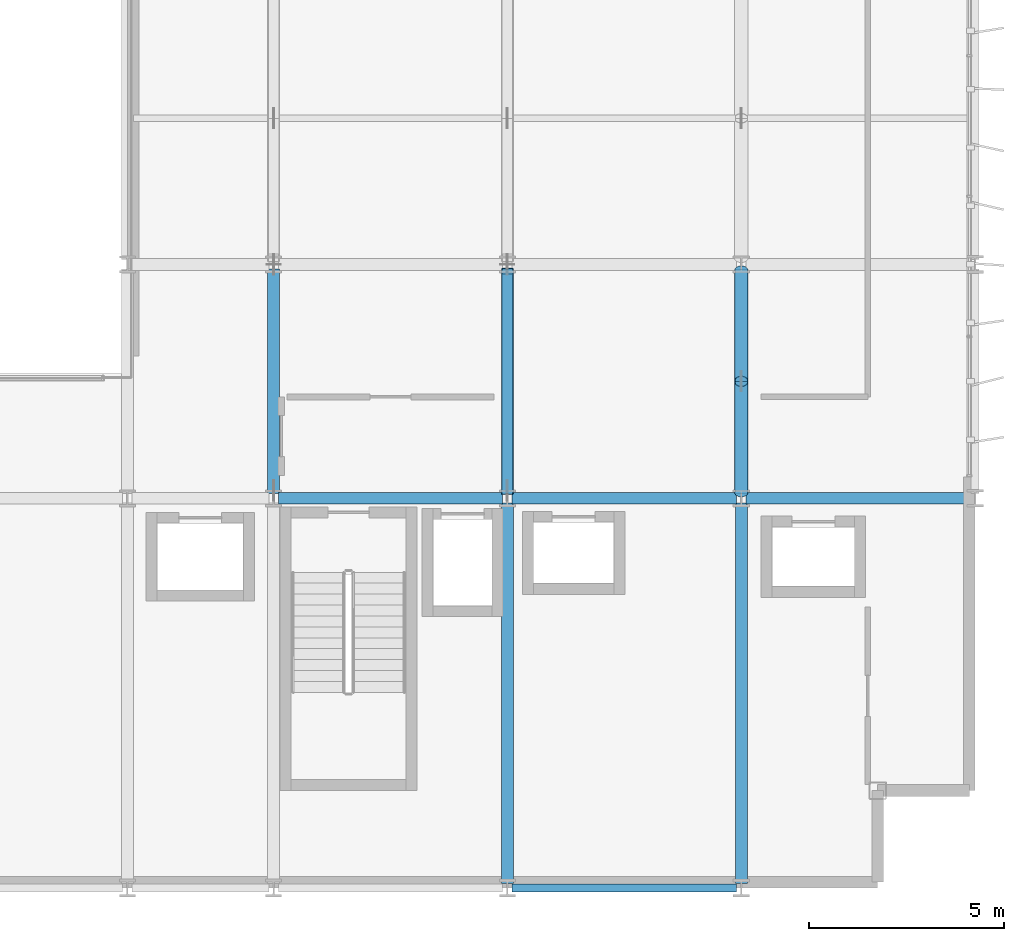
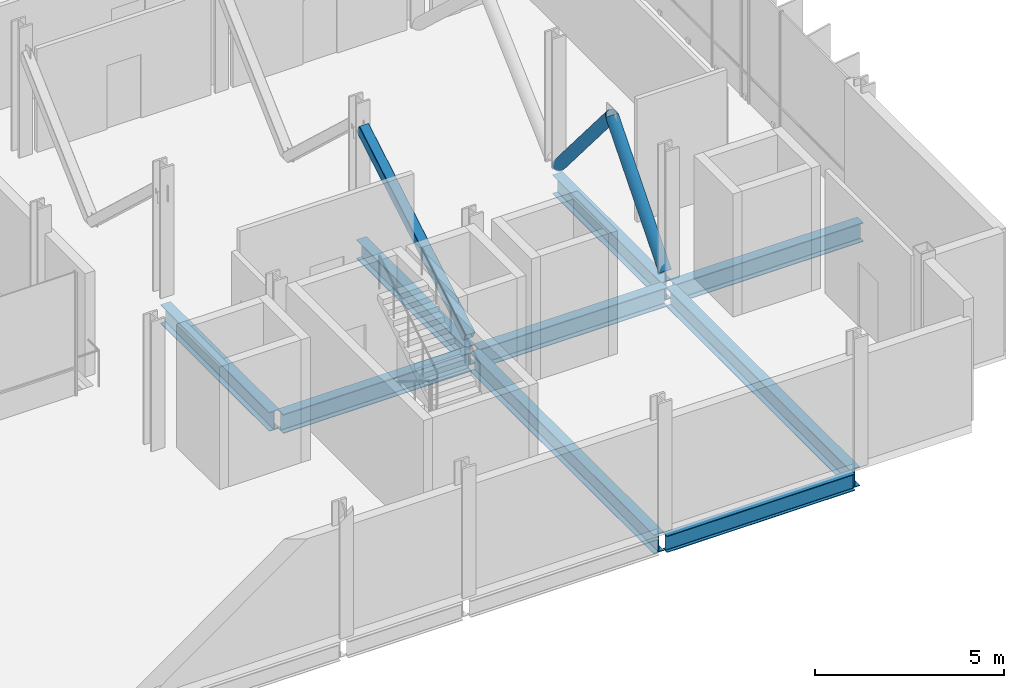
# One storey, part 16 of 32: 9 beams, 3 members.
"""IFC4 building model written with IfcOpenShell, lengths in metres."""

from ifc_helpers import new_model, si_unit, direction, frame, origin, origin_2d, place, context, subcontext, project, spatial, hollow_rectangle, hollow_circle, i_section, extrude, material, material_profile, profile_set, type_object, element, save


model = new_model("IFC4")

# Units and contexts
model_context = context("Model", 3, precision=1e-05, world=origin(), true_north=direction((0.0, 1.0)))
body_context = subcontext(model_context, "Body", "Model", "MODEL_VIEW")
ifc_project = project(units=[si_unit("LENGTHUNIT", "METRE"), si_unit("AREAUNIT", "SQUARE_METRE"), si_unit("VOLUMEUNIT", "CUBIC_METRE"), si_unit("PLANEANGLEUNIT", "RADIAN"), si_unit("MASSUNIT", "GRAM", prefix="KILO")], contexts=[model_context])

# Site, building, storey
site_placement = place(None, origin())
site = spatial("IfcSite", under=ifc_project, at=site_placement, CompositionType="ELEMENT")
building_placement = place(site_placement, origin())
building = spatial("IfcBuilding", under=site, at=building_placement, Name="Brevholm Reach", CompositionType="ELEMENT")
storey_placement = place(building_placement, frame((0.0, 0.0, 96.199951171875)))
storey = spatial("IfcBuildingStorey", under=building, at=storey_placement, Name="L28", CompositionType="ELEMENT", Elevation=96.199951171875)

# Beams
ifc_material_1 = material(Name="Structural Steel S355J2", Category="steel")
ifc_material_profile_1 = material_profile(ifc_material_1, i_section(OverallWidth=0.210693359375, OverallDepth=0.53955078125, WebThickness=0.01171875, FlangeThickness=0.018798828125, FilletRadius=0.0126953125, at=origin_2d()), Name="UKB 533x210x109")
ifc_profile_set_1 = profile_set([ifc_material_profile_1], Name="Structural Steel S355J2")
beam_type_1 = type_object("IfcBeamType", Name="BM-SP539", PredefinedType="SPANDREL", material=ifc_profile_set_1)
beam_1_placement = place(storey_placement, frame((48.1201171875, 0.0, -0.52978515625), z_axis=(1.0, 0.0, 0.0), x_axis=(0.0, 1.0, 0.0)))
element("IfcBeam", 1, at=beam_1_placement, inside=storey, type_object=beam_type_1, Name="L28 SP-01B Framing Beam", PredefinedType="SPANDREL", context=body_context, shape_type="SweptSolid", body=[
    extrude(i_section(OverallWidth=0.210693359375, OverallDepth=0.53955078125, WebThickness=0.01171875, FlangeThickness=0.018798828125, FilletRadius=0.0126953125, at=origin_2d()), origin(), (0.0, 0.0, 1.0), 5.759765625),
])
ifc_material_2 = material(Name="Structural Steel S355J2", Category="steel")
ifc_material_profile_2 = material_profile(ifc_material_2, i_section(OverallWidth=0.30712890625, OverallDepth=0.6201171875, WebThickness=0.01416015625, FlangeThickness=0.023681640625, FilletRadius=0.0166015625, at=origin_2d()), Name="UKB 610x305x179")
ifc_profile_set_2 = profile_set([ifc_material_profile_2], Name="Structural Steel S355J2")
beam_type_2 = type_object("IfcBeamType", Name="BM-UKB610H", PredefinedType="USERDEFINED", material=ifc_profile_set_2)
for number, where, z_axis, x_axis, name in (
    (2, (42.1201171875, 10.0, -0.570068359375), (1.0, 0.0, 0.0), (0.0, 1.0, 0.0), "L28 G-06 Framing Beam"),
    (3, (48.1201171875, 10.0, -0.570068359375), (1.0, 0.0, 0.0), (0.0, 1.0, 0.0), "L28 G-06 Framing Beam"),
    (4, (54.1201171875, 10.0, -0.570068359375), (1.0, 0.0, 0.0), (0.0, 1.0, 0.0), "L28 G-06 Framing Beam"),
    (5, (42.0, 10.1201171875, -0.570068359375), (0.0, 1.0, 0.0), (-1.0, 0.0, 0.0), "L28 G-06 Framing Beam"),
):
    element("IfcBeam", number, at=place(storey_placement, frame(where, z_axis=z_axis, x_axis=x_axis)), inside=storey, type_object=beam_type_2, Name=name, ObjectType="GIRDER", PredefinedType="USERDEFINED", context=body_context, shape_type="SweptSolid", body=[
        extrude(i_section(OverallWidth=0.30712890625, OverallDepth=0.6201171875, WebThickness=0.01416015625, FlangeThickness=0.023681640625, FilletRadius=0.0166015625, at=origin_2d()), origin(), (0.0, 0.0, 1.0), 5.759765625),
    ])
beam_2_placement = place(storey_placement, frame((48.0, 0.1201171875, -0.570068359375), z_axis=(0.0, 1.0, 0.0), x_axis=(-1.0, 0.0, 0.0)))
element("IfcBeam", 6, at=beam_2_placement, inside=storey, type_object=beam_type_2, Name="L28 G-06 Framing Beam", ObjectType="GIRDER", PredefinedType="USERDEFINED", context=body_context, shape_type="SweptSolid", body=[
    extrude(i_section(OverallWidth=0.30712890625, OverallDepth=0.6201171875, WebThickness=0.01416015625, FlangeThickness=0.023681640625, FilletRadius=0.0166015625, at=origin_2d()), origin(), (0.0, 0.0, 1.0), 9.759765625),
])
beam_3_placement = place(storey_placement, frame((48.0, 10.1201171875, -0.570068359375), z_axis=(0.0, 1.0, 0.0), x_axis=(-1.0, 0.0, 0.0)))
element("IfcBeam", 7, at=beam_3_placement, inside=storey, type_object=beam_type_2, Name="L28 G-06 Framing Beam", ObjectType="GIRDER", PredefinedType="USERDEFINED", context=body_context, shape_type="SweptSolid", body=[
    extrude(i_section(OverallWidth=0.30712890625, OverallDepth=0.6201171875, WebThickness=0.01416015625, FlangeThickness=0.023681640625, FilletRadius=0.0166015625, at=origin_2d()), origin(), (0.0, 0.0, 1.0), 5.759765625),
])
beam_4_placement = place(storey_placement, frame((54.0, 0.1201171875, -0.570068359375), z_axis=(0.0, 1.0, 0.0), x_axis=(-1.0, 0.0, 0.0)))
element("IfcBeam", 8, at=beam_4_placement, inside=storey, type_object=beam_type_2, Name="L28 G-06 Framing Beam", ObjectType="GIRDER", PredefinedType="USERDEFINED", context=body_context, shape_type="SweptSolid", body=[
    extrude(i_section(OverallWidth=0.30712890625, OverallDepth=0.6201171875, WebThickness=0.01416015625, FlangeThickness=0.023681640625, FilletRadius=0.0166015625, at=origin_2d()), origin(), (0.0, 0.0, 1.0), 9.759765625),
])
beam_5_placement = place(storey_placement, frame((54.0, 10.1201171875, -0.570068359375), z_axis=(0.0, 1.0, 0.0), x_axis=(-1.0, 0.0, 0.0)))
element("IfcBeam", 9, at=beam_5_placement, inside=storey, type_object=beam_type_2, Name="L28 G-06 Framing Beam", ObjectType="GIRDER", PredefinedType="USERDEFINED", context=body_context, shape_type="SweptSolid", body=[
    extrude(i_section(OverallWidth=0.30712890625, OverallDepth=0.6201171875, WebThickness=0.01416015625, FlangeThickness=0.023681640625, FilletRadius=0.0166015625, at=origin_2d()), origin(), (0.0, 0.0, 1.0), 5.759765625),
])

# Members
ifc_material_3 = material(Name="Structural Steel S355J2H", Category="steel")
ifc_material_profile_3 = material_profile(ifc_material_3, hollow_circle(Radius=0.177734375, WallThickness=0.012451171875, at=origin_2d()), Name="CHS 355.6x12.5")
ifc_profile_set_3 = profile_set([ifc_material_profile_3], Name="Structural Steel S355J2H")
member_type_1 = type_object("IfcMemberType", Name="MEM-BB-CHS355", PredefinedType="BRACE", material=ifc_profile_set_3)
for number, where, z_axis, x_axis, name in (
    (10, (54.0, 10.169921875, 0.02001953125), (0.0, 0.647280409907, 0.762251973399), (-1.0, 0.0, 0.0), "L28 Belt Truss Brace BB-03A"),
    (11, (54.0, 13.0, 3.352783203125), (0.0, 0.647280409907, -0.762251973399), (-1.0, 0.0, 0.0), "L28 Belt Truss Brace BB-03B"),
):
    element("IfcMember", number, at=place(storey_placement, frame(where, z_axis=z_axis, x_axis=x_axis)), inside=storey, type_object=member_type_1, Name=name, PredefinedType="BRACE", context=body_context, shape_type="SweptSolid", body=[
        extrude(hollow_circle(Radius=0.177734375, WallThickness=0.012451171875, at=origin_2d()), origin(), (0.0, 0.0, 1.0), 4.372314453125),
    ])
ifc_material_4 = material(Name="Structural Steel S460NH", Category="steel")
ifc_material_profile_4 = material_profile(ifc_material_4, hollow_rectangle(XDim=0.300048828125, YDim=0.300048828125, WallThickness=0.012451171875, InnerFilletRadius=0.011962890625, OuterFilletRadius=0.02392578125, at=origin_2d()), Name="SHS 300x300x12.5")
ifc_profile_set_4 = profile_set([ifc_material_profile_4], Name="Structural Steel S460NH")
member_type_2 = type_object("IfcMemberType", Name="MEM-OB-SHS300", PredefinedType="BRACE", material=ifc_profile_set_4)
member_placement = place(storey_placement, frame((48.0, 10.169921875, 0.02001953125), z_axis=(0.0, 0.861717239727, 0.507388804327), x_axis=(-1.0, 0.0, 0.0)))
element("IfcMember", 12, at=member_placement, inside=storey, type_object=member_type_2, Name="L28 Outrigger Truss Diagonal X48.1", PredefinedType="BRACE", context=body_context, shape_type="SweptSolid", body=[
    extrude(hollow_rectangle(XDim=0.300048828125, YDim=0.300048828125, WallThickness=0.012451171875, InnerFilletRadius=0.011962890625, OuterFilletRadius=0.02392578125, at=origin_2d()), origin(), (0.0, 0.0, 1.0), 6.568359375),
])

save(model, "model.ifc")
